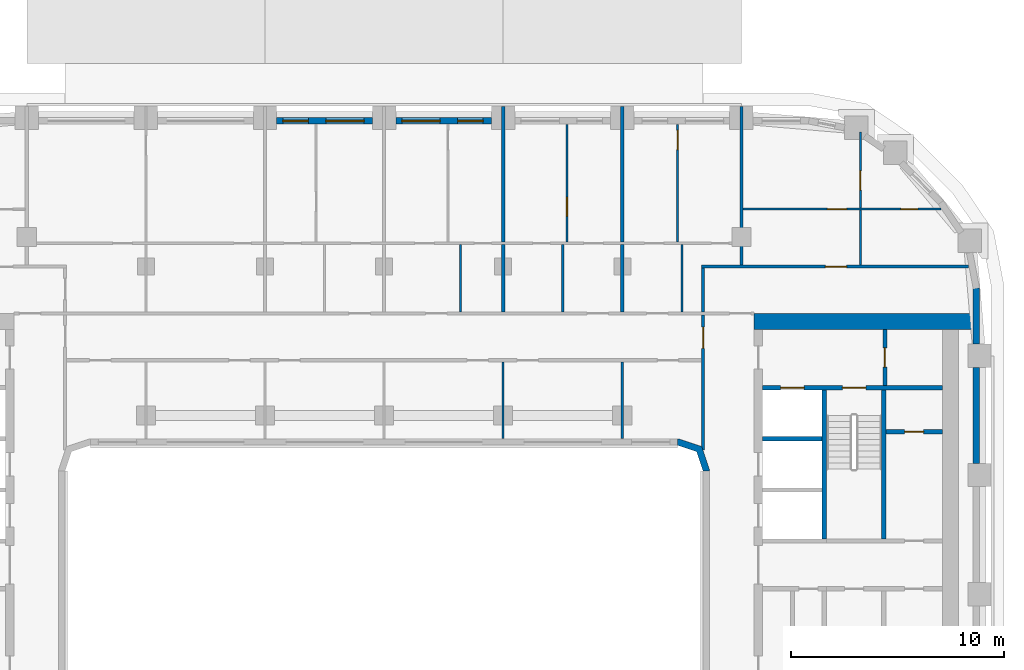
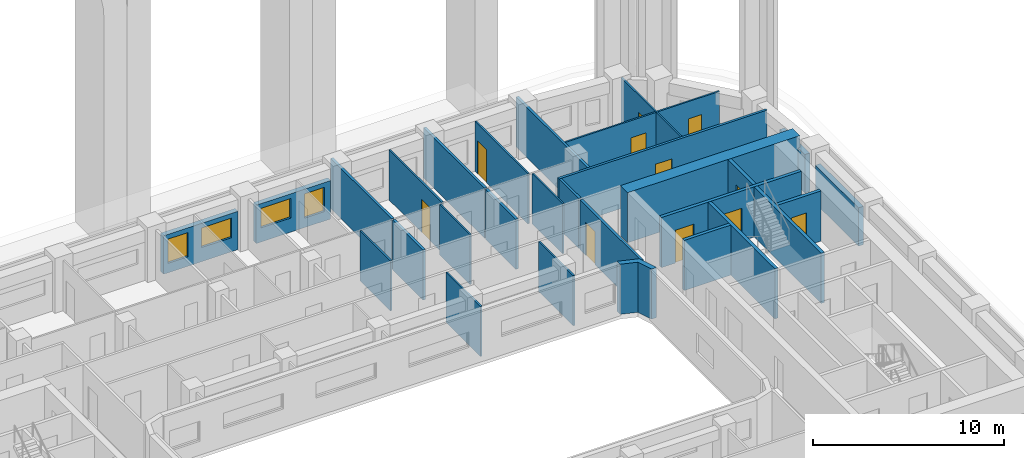
# One storey, part 9 of 18: 30 walls, 11 doors, 4 windows, 15 openings.
"""IFC4 building model written with IfcOpenShell, lengths in metres."""

from ifc_helpers import new_model, si_unit, direction, frame, frame_2d, origin, place, context, subcontext, project, spatial, polyline, rectangle, outline, extrude, material, layer, layer_set, type_object, element, fill, save


model = new_model("IFC4")

# Units and contexts
model_context = context("Model", 3, precision=1e-05, world=origin(), true_north=direction((0.0, 1.0)))
body_context = subcontext(model_context, "Body", "Model", "MODEL_VIEW")
ifc_project = project(units=[si_unit("LENGTHUNIT", "METRE"), si_unit("AREAUNIT", "SQUARE_METRE"), si_unit("VOLUMEUNIT", "CUBIC_METRE"), si_unit("PLANEANGLEUNIT", "RADIAN"), si_unit("MASSUNIT", "GRAM", prefix="KILO")], contexts=[model_context])

# Site, building, storey
site_placement = place(None, origin())
site = spatial("IfcSite", under=ifc_project, at=site_placement, CompositionType="ELEMENT")
building_placement = place(site_placement, origin())
building = spatial("IfcBuilding", under=site, at=building_placement, Name="Kiln Ring Residences", CompositionType="ELEMENT")
storey_placement = place(building_placement, frame((0.0, 0.0, 136.10009765625)))
storey = spatial("IfcBuildingStorey", under=building, at=storey_placement, Name="L34", CompositionType="ELEMENT", Elevation=136.10009765625)

# Wall, opening, door
ifc_material_1 = material(Name="Gypsum board on steel studs", Category="steel")
ifc_layer_1 = layer(ifc_material_1, 0.199951171875)
ifc_layer_set_1 = layer_set([ifc_layer_1], Name="CORE-PARTITION-200")
wall_type_1 = type_object("IfcWallType", Name="CORE-PARTITION-200", PredefinedType="PARTITIONING", material=ifc_layer_set_1)
wall_1_placement = place(storey_placement, frame((23.550048828125, 9.800048828125, 0.0), z_axis=(0.0, 0.0, 1.0), x_axis=(0.0, 1.0, 0.0)))
wall_1 = element("IfcWall", 1, at=wall_1_placement, inside=storey, type_object=wall_type_1, Name="Core partition east L34 4", PredefinedType="PARTITIONING", context=body_context, shape_type="SweptSolid", body=[
    extrude(rectangle(XDim=2.64990234375, YDim=0.199951171875, at=frame_2d((1.324951171875, 0.0))), origin(), (0.0, 0.0, 1.0), 3.199951171875),
])
opening_1_placement = place(wall_1_placement, frame((0.875, 0.0, 0.0)))
opening_1 = element("IfcOpeningElement", 2, at=opening_1_placement, cuts=wall_1, Name="Opening L34-CE09", PredefinedType="OPENING", context=body_context, shape_type="SweptSolid", body=[
    extrude(rectangle(XDim=0.89990234375, YDim=2.10009765625, at=frame_2d((0.449951171875, 1.050048828125))), frame((0.0, 0.10986328125, 0.0), z_axis=(0.0, -1.0, 0.0), x_axis=(1.0, 0.0, 0.0)), (0.0, 0.0, 1.0), 0.219970703125),
])
ifc_material_2 = material(Name="Steel door leaf", Category="steel")
door_type_1 = type_object("IfcDoorType", Name="CORE-DOOR-ROOM", OperationType="SINGLE_SWING_LEFT", PredefinedType="DOOR", material=ifc_material_2)
door_1_placement = place(opening_1_placement, origin())
door_1 = element("IfcDoor", 3, at=door_1_placement, inside=storey, type_object=door_type_1, Name="Fire riser room L34-CE09", OperationType="SINGLE_SWING_RIGHT", OverallHeight=2.10009765625, OverallWidth=0.89990234375, PredefinedType="DOOR", context=body_context, shape_type="SweptSolid", body=[
    extrude(rectangle(XDim=0.89990234375, YDim=2.10009765625, at=frame_2d((0.449951171875, 1.050048828125))), frame((0.0, 0.02490234375, 0.0), z_axis=(0.0, -1.0, 0.0), x_axis=(1.0, 0.0, 0.0)), (0.0, 0.0, 1.0), 0.050048828125),
])
fill(opening_1, door_1)

wall_2_placement = place(storey_placement, frame((23.60009765625, 7.639892578125, 0.0), z_axis=(0.0, 0.0, 1.0), x_axis=(1.0, 0.0, 0.0)))
wall_2 = element("IfcWall", 4, at=wall_2_placement, inside=storey, type_object=wall_type_1, Name="Core partition east L34 6", PredefinedType="PARTITIONING", context=body_context, shape_type="SweptSolid", body=[
    extrude(rectangle(XDim=2.64990234375, YDim=0.199951171875, at=frame_2d((1.324951171875, 0.0))), origin(), (0.0, 0.0, 1.0), 3.199951171875),
])
opening_2_placement = place(wall_2_placement, frame((0.875, 0.0, 0.0)))
opening_2 = element("IfcOpeningElement", 5, at=opening_2_placement, cuts=wall_2, Name="Opening L34-CE16", PredefinedType="OPENING", context=body_context, shape_type="SweptSolid", body=[
    extrude(rectangle(XDim=0.89990234375, YDim=2.10009765625, at=frame_2d((0.449951171875, 1.050048828125))), frame((0.0, 0.10986328125, 0.0), z_axis=(0.0, -1.0, 0.0), x_axis=(1.0, 0.0, 0.0)), (0.0, 0.0, 1.0), 0.219970703125),
])
door_2_placement = place(opening_2_placement, origin())
door_2 = element("IfcDoor", 6, at=door_2_placement, inside=storey, type_object=door_type_1, Name="UPS room L34-CE16", OperationType="SINGLE_SWING_RIGHT", OverallHeight=2.10009765625, OverallWidth=0.89990234375, PredefinedType="DOOR", context=body_context, shape_type="SweptSolid", body=[
    extrude(rectangle(XDim=0.89990234375, YDim=2.10009765625, at=frame_2d((0.449951171875, 1.050048828125))), frame((0.0, 0.02490234375, 0.0), z_axis=(0.0, -1.0, 0.0), x_axis=(1.0, 0.0, 0.0)), (0.0, 0.0, 1.0), 0.050048828125),
])
fill(opening_2, door_2)

# Walls
ifc_material_3 = material(Name="Gypsum shaft wall system")
ifc_layer_2 = layer(ifc_material_3, 0.199951171875)
ifc_layer_set_2 = layer_set([ifc_layer_2], Name="CORE-SHAFT-WALL-200")
wall_type_2 = type_object("IfcWallType", Name="CORE-SHAFT-WALL-200", PredefinedType="PARTITIONING", material=ifc_layer_set_2)
wall_3_placement = place(storey_placement, frame((17.800048828125, 7.300048828125, 0.0), z_axis=(0.0, 0.0, 1.0), x_axis=(1.0, 0.0, 0.0)))
element("IfcWall", 7, at=wall_3_placement, inside=storey, type_object=wall_type_2, Name="Core partition east L34 11", PredefinedType="PARTITIONING", context=body_context, shape_type="SweptSolid", body=[
    extrude(rectangle(XDim=2.800048828125, YDim=0.199951171875, at=frame_2d((1.39990234375, 0.0))), origin(), (0.0, 0.0, 1.0), 3.199951171875),
])
ifc_material_4 = material(Name="Concrete C40/50", Category="concrete")
ifc_layer_3 = layer(ifc_material_4, 0.199951171875)
ifc_layer_set_3 = layer_set([ifc_layer_3], Name="CORE-WALL-RC200")
wall_type_3 = type_object("IfcWallType", Name="CORE-WALL-RC200", PredefinedType="SHEAR", material=ifc_layer_set_3)
wall_4_placement = place(storey_placement, frame((20.699951171875, 2.60009765625, 0.0), z_axis=(0.0, 0.0, 1.0), x_axis=(0.0, 1.0, 0.0)))
element("IfcWall", 8, at=wall_4_placement, inside=storey, type_object=wall_type_3, Name="Core wall east L34 1", PredefinedType="SHEAR", context=body_context, shape_type="SweptSolid", body=[
    extrude(rectangle(XDim=7.0, YDim=0.199951171875, at=frame_2d((3.5, 0.0))), origin(), (0.0, 0.0, 1.0), 3.199951171875),
])

# Wall, openings, doors
wall_5_placement = place(storey_placement, frame((17.800048828125, 9.699951171875, 0.0), z_axis=(0.0, 0.0, 1.0), x_axis=(1.0, 0.0, 0.0)))
wall_5 = element("IfcWall", 9, at=wall_5_placement, inside=storey, type_object=wall_type_3, Name="Core wall east L34 9", PredefinedType="SHEAR", context=body_context, shape_type="SweptSolid", body=[
    extrude(rectangle(XDim=8.449951171875, YDim=0.199951171875, at=frame_2d((4.22509765625, 0.0))), origin(), (0.0, 0.0, 1.0), 3.199951171875),
])
opening_3_placement = place(wall_5_placement, frame((0.85009765625, 0.0, 0.0)))
opening_3 = element("IfcOpeningElement", 10, at=opening_3_placement, cuts=wall_5, Name="Opening L34-CE06", PredefinedType="OPENING", context=body_context, shape_type="SweptSolid", body=[
    extrude(rectangle(XDim=1.10009765625, YDim=2.10009765625, at=frame_2d((0.550048828125, 1.050048828125))), frame((0.0, 0.10986328125, 0.0), z_axis=(0.0, -1.0, 0.0), x_axis=(1.0, 0.0, 0.0)), (0.0, 0.0, 1.0), 0.219970703125),
])
opening_4_placement = place(wall_5_placement, frame((3.75, 0.0, 0.0)))
opening_4 = element("IfcOpeningElement", 11, at=opening_4_placement, cuts=wall_5, Name="Opening L34-CE11", PredefinedType="OPENING", context=body_context, shape_type="SweptSolid", body=[
    extrude(rectangle(XDim=1.10009765625, YDim=2.10009765625, at=frame_2d((0.550048828125, 1.050048828125))), frame((0.0, 0.10986328125, 0.0), z_axis=(0.0, -1.0, 0.0), x_axis=(1.0, 0.0, 0.0)), (0.0, 0.0, 1.0), 0.219970703125),
])
ifc_material_5 = material(Name="Steel door leaf", Category="steel")
door_type_2 = type_object("IfcDoorType", Name="CORE-DOOR-LD", OperationType="DOUBLE_DOOR_SLIDING", PredefinedType="DOOR", material=ifc_material_5)
door_3_placement = place(opening_3_placement, origin())
door_3 = element("IfcDoor", 12, at=door_3_placement, inside=storey, type_object=door_type_2, Name="LD E-FF L34-CE06", OperationType="DOUBLE_DOOR_SLIDING", OverallHeight=2.10009765625, OverallWidth=1.10009765625, PredefinedType="DOOR", context=body_context, shape_type="SweptSolid", body=[
    extrude(rectangle(XDim=1.10009765625, YDim=2.10009765625, at=frame_2d((0.550048828125, 1.050048828125))), frame((0.0, 0.02490234375, 0.0), z_axis=(0.0, -1.0, 0.0), x_axis=(1.0, 0.0, 0.0)), (0.0, 0.0, 1.0), 0.050048828125),
])
fill(opening_3, door_3)
ifc_material_6 = material(Name="Steel door leaf", Category="steel")
door_type_3 = type_object("IfcDoorType", Name="CORE-DOOR-STAIR", OperationType="SINGLE_SWING_LEFT", PredefinedType="DOOR", material=ifc_material_6)
door_4_placement = place(opening_4_placement, origin())
door_4 = element("IfcDoor", 13, at=door_4_placement, inside=storey, type_object=door_type_3, Name="Stair E-STN L34-CE11", OperationType="SINGLE_SWING_RIGHT", OverallHeight=2.10009765625, OverallWidth=1.10009765625, PredefinedType="DOOR", context=body_context, shape_type="SweptSolid", body=[
    extrude(rectangle(XDim=1.10009765625, YDim=2.10009765625, at=frame_2d((0.550048828125, 1.050048828125))), frame((0.0, 0.02490234375, 0.0), z_axis=(0.0, -1.0, 0.0), x_axis=(1.0, 0.0, 0.0)), (0.0, 0.0, 1.0), 0.050048828125),
])
fill(opening_4, door_4)

# Walls
wall_6_placement = place(storey_placement, frame((23.5, 2.60009765625, 0.0), z_axis=(0.0, 0.0, 1.0), x_axis=(0.0, 1.0, 0.0)))
element("IfcWall", 14, at=wall_6_placement, inside=storey, type_object=wall_type_3, Name="Core wall east L34 10", PredefinedType="SHEAR", context=body_context, shape_type="SweptSolid", body=[
    extrude(rectangle(XDim=7.0, YDim=0.199951171875, at=frame_2d((3.5, 0.0))), origin(), (0.0, 0.0, 1.0), 3.199951171875),
])
ifc_material_7 = material(Name="Concrete C60/75", Category="concrete")
ifc_layer_4 = layer(ifc_material_7, 0.75)
ifc_layer_set_4 = layer_set([ifc_layer_4], Name="CORE-WALL-RC750")
wall_type_4 = type_object("IfcWallType", Name="CORE-WALL-RC750", PredefinedType="SHEAR", material=ifc_layer_set_4)
wall_7_placement = place(storey_placement, frame((17.39990234375, 12.824951171875, 0.0), z_axis=(0.0, 0.0, 1.0), x_axis=(1.0, 0.0, 0.0)))
element("IfcWall", 15, at=wall_7_placement, inside=storey, type_object=wall_type_4, Name="Core wall east L34 4", PredefinedType="SHEAR", context=body_context, shape_type="SweptSolid", body=[
    extrude(rectangle(XDim=10.400146484375, YDim=0.75, at=frame_2d((5.2001953125, 0.0))), origin(), (0.0, 0.0, 1.0), 3.199951171875),
])
ifc_material_8 = material(Name="Brick masonry, dark clay brick", Category="masonry")
ifc_layer_5 = layer(ifc_material_8, 0.300048828125)
ifc_layer_set_5 = layer_set([ifc_layer_5], Name="EW-300 BRICK WALL")
wall_type_5 = type_object("IfcWallType", Name="EW-300 BRICK WALL", PredefinedType="SOLIDWALL", material=ifc_layer_set_5)
wall_8_placement = place(storey_placement, frame((27.85009765625, 6.14990234375, 0.0), z_axis=(0.0, 0.0, 1.0), x_axis=(0.0, 1.0, 0.0)))
element("IfcWall", 16, at=wall_8_placement, inside=storey, type_object=wall_type_5, Name="Facade wall L34 21", PredefinedType="SOLIDWALL", context=body_context, shape_type="SweptSolid", body=[
    extrude(rectangle(XDim=4.5, YDim=0.300048828125, at=frame_2d((2.25, 0.0))), origin(), (0.0, 0.0, 1.0), 2.449951171875),
])
wall_9_placement = place(storey_placement, frame((27.85009765625, 11.75, 0.0), z_axis=(0.0, 0.0, 1.0), x_axis=(0.0, 1.0, 0.0)))
element("IfcWall", 17, at=wall_9_placement, inside=storey, type_object=wall_type_5, Name="Facade wall L34 22", PredefinedType="SOLIDWALL", context=body_context, shape_type="SweptSolid", body=[
    extrude(rectangle(XDim=2.64990234375, YDim=0.300048828125, at=frame_2d((1.324951171875, 0.0))), origin(), (0.0, 0.0, 1.0), 2.449951171875),
])

# Wall, openings, windows
wall_10_placement = place(storey_placement, frame((5.050048828125, 22.25, 0.0), z_axis=(0.0, 0.0, 1.0), x_axis=(-1.0, 0.0, 0.0)))
wall_10 = element("IfcWall", 18, at=wall_10_placement, inside=storey, type_object=wall_type_5, Name="Facade wall L34 31", PredefinedType="SOLIDWALL", context=body_context, shape_type="SweptSolid", body=[
    extrude(rectangle(XDim=4.5, YDim=0.300048828125, at=frame_2d((2.25, 0.0))), origin(), (0.0, 0.0, 1.0), 2.449951171875),
])
opening_5_placement = place(wall_10_placement, frame((0.387451171875, 0.0, 0.60009765625)))
opening_5 = element("IfcOpeningElement", 19, at=opening_5_placement, cuts=wall_10, Name="Opening W1", PredefinedType="OPENING", context=body_context, shape_type="SweptSolid", body=[
    extrude(rectangle(XDim=1.199951171875, YDim=1.550048828125, at=frame_2d((0.60009765625, 0.77490234375))), frame((0.0, 0.159912109375, 0.0), z_axis=(0.0, -1.0, 0.0), x_axis=(1.0, 0.0, 0.0)), (0.0, 0.0, 1.0), 0.320068359375),
])
opening_6_placement = place(wall_10_placement, frame((2.41259765625, 0.0, 0.89990234375)))
opening_6 = element("IfcOpeningElement", 20, at=opening_6_placement, cuts=wall_10, Name="Opening W2", PredefinedType="OPENING", context=body_context, shape_type="SweptSolid", body=[
    extrude(rectangle(XDim=1.800048828125, YDim=1.25, at=frame_2d((0.89990234375, 0.625))), frame((0.0, 0.159912109375, 0.0), z_axis=(0.0, -1.0, 0.0), x_axis=(1.0, 0.0, 0.0)), (0.0, 0.0, 1.0), 0.320068359375),
])
ifc_material_9 = material(Name="Aluminium frame with double glazing", Category="aluminium")
window_type_1 = type_object("IfcWindowType", Name="WINDOW 1200 x 1550", PartitioningType="SINGLE_PANEL", PredefinedType="WINDOW", material=ifc_material_9)
window_1_placement = place(opening_5_placement, origin())
window_1 = element("IfcWindow", 21, at=window_1_placement, inside=storey, type_object=window_type_1, Name="Window L34 23", OverallHeight=1.550048828125, OverallWidth=1.199951171875, PartitioningType="SINGLE_PANEL", PredefinedType="WINDOW", context=body_context, shape_type="SweptSolid", body=[
    extrude(rectangle(XDim=1.199951171875, YDim=1.550048828125, at=frame_2d((0.60009765625, 0.77490234375))), frame((0.0, 0.030029296875, 0.0), z_axis=(0.0, -1.0, 0.0), x_axis=(1.0, 0.0, 0.0)), (0.0, 0.0, 1.0), 0.06005859375),
])
fill(opening_5, window_1)
ifc_material_10 = material(Name="Aluminium frame with double glazing", Category="aluminium")
window_type_2 = type_object("IfcWindowType", Name="WINDOW 1800 x 1250", PartitioningType="SINGLE_PANEL", PredefinedType="WINDOW", material=ifc_material_10)
window_2_placement = place(opening_6_placement, origin())
window_2 = element("IfcWindow", 22, at=window_2_placement, inside=storey, type_object=window_type_2, Name="Window L34 24", OverallHeight=1.25, OverallWidth=1.800048828125, PartitioningType="SINGLE_PANEL", PredefinedType="WINDOW", context=body_context, shape_type="SweptSolid", body=[
    extrude(rectangle(XDim=1.800048828125, YDim=1.25, at=frame_2d((0.89990234375, 0.625))), frame((0.0, 0.030029296875, 0.0), z_axis=(0.0, -1.0, 0.0), x_axis=(1.0, 0.0, 0.0)), (0.0, 0.0, 1.0), 0.06005859375),
])
fill(opening_6, window_2)

wall_11_placement = place(storey_placement, frame((-0.550048828125, 22.25, 0.0), z_axis=(0.0, 0.0, 1.0), x_axis=(-1.0, 0.0, 0.0)))
wall_11 = element("IfcWall", 23, at=wall_11_placement, inside=storey, type_object=wall_type_5, Name="Facade wall L34 32", PredefinedType="SOLIDWALL", context=body_context, shape_type="SweptSolid", body=[
    extrude(rectangle(XDim=4.5, YDim=0.300048828125, at=frame_2d((2.25, 0.0))), origin(), (0.0, 0.0, 1.0), 2.449951171875),
])
opening_7_placement = place(wall_11_placement, frame((0.387451171875, 0.0, 0.89990234375)))
opening_7 = element("IfcOpeningElement", 24, at=opening_7_placement, cuts=wall_11, Name="Opening W2", PredefinedType="OPENING", context=body_context, shape_type="SweptSolid", body=[
    extrude(rectangle(XDim=1.800048828125, YDim=1.25, at=frame_2d((0.89990234375, 0.625))), frame((0.0, 0.159912109375, 0.0), z_axis=(0.0, -1.0, 0.0), x_axis=(1.0, 0.0, 0.0)), (0.0, 0.0, 1.0), 0.320068359375),
])
opening_8_placement = place(wall_11_placement, frame((3.012451171875, 0.0, 0.60009765625)))
opening_8 = element("IfcOpeningElement", 25, at=opening_8_placement, cuts=wall_11, Name="Opening W1", PredefinedType="OPENING", context=body_context, shape_type="SweptSolid", body=[
    extrude(rectangle(XDim=1.199951171875, YDim=1.550048828125, at=frame_2d((0.60009765625, 0.77490234375))), frame((0.0, 0.159912109375, 0.0), z_axis=(0.0, -1.0, 0.0), x_axis=(1.0, 0.0, 0.0)), (0.0, 0.0, 1.0), 0.320068359375),
])
window_3_placement = place(opening_8_placement, origin())
window_3 = element("IfcWindow", 26, at=window_3_placement, inside=storey, type_object=window_type_1, Name="Window L34 26", OverallHeight=1.550048828125, OverallWidth=1.199951171875, PartitioningType="SINGLE_PANEL", PredefinedType="WINDOW", context=body_context, shape_type="SweptSolid", body=[
    extrude(rectangle(XDim=1.199951171875, YDim=1.550048828125, at=frame_2d((0.60009765625, 0.77490234375))), frame((0.0, 0.030029296875, 0.0), z_axis=(0.0, -1.0, 0.0), x_axis=(1.0, 0.0, 0.0)), (0.0, 0.0, 1.0), 0.06005859375),
])
fill(opening_8, window_3)
window_4_placement = place(opening_7_placement, origin())
window_4 = element("IfcWindow", 27, at=window_4_placement, inside=storey, type_object=window_type_2, Name="Window L34 25", OverallHeight=1.25, OverallWidth=1.800048828125, PartitioningType="SINGLE_PANEL", PredefinedType="WINDOW", context=body_context, shape_type="SweptSolid", body=[
    extrude(rectangle(XDim=1.800048828125, YDim=1.25, at=frame_2d((0.89990234375, 0.625))), frame((0.0, 0.030029296875, 0.0), z_axis=(0.0, -1.0, 0.0), x_axis=(1.0, 0.0, 0.0)), (0.0, 0.0, 1.0), 0.06005859375),
])
fill(opening_7, window_4)

# Wall
wall_12_placement = place(storey_placement, origin())
element("IfcWall", 28, at=wall_12_placement, inside=storey, type_object=wall_type_5, Name="Corner wall L34 2", PredefinedType="SOLIDWALL", context=body_context, shape_type="SweptSolid", body=[
    extrude(outline(polyline([(14.937255859375, 6.937255859375), (13.8486328125, 7.300048828125), (13.800048828125, 7.300048828125), (13.800048828125, 7.0), (14.699951171875, 6.699951171875), (15.0, 5.800048828125), (15.300048828125, 5.800048828125), (15.300048828125, 5.8486328125), (14.937255859375, 6.937255859375)])), origin(), (0.0, 0.0, 1.0), 3.199951171875),
])

# Wall, openings, doors
ifc_material_11 = material(Name="Gypsum board on steel studs", Category="steel")
ifc_layer_6 = layer(ifc_material_11, 0.10009765625)
ifc_layer_set_6 = layer_set([ifc_layer_6], Name="PARTITION-100")
wall_type_6 = type_object("IfcWallType", Name="PARTITION-100", PredefinedType="PARTITIONING", material=ifc_layer_set_6)
wall_13_placement = place(storey_placement, frame((16.875, 18.10009765625, 0.0), z_axis=(0.0, 0.0, 1.0), x_axis=(1.0, 0.0, 0.0)))
wall_13 = element("IfcWall", 29, at=wall_13_placement, inside=storey, type_object=wall_type_6, Name="Partition 013", PredefinedType="PARTITIONING", context=body_context, shape_type="SweptSolid", body=[
    extrude(rectangle(XDim=9.315185546875, YDim=0.10009765625, at=frame_2d((4.65771484375, 0.0))), origin(), (0.0, 0.0, 1.0), 3.199951171875),
])
opening_9_placement = place(wall_13_placement, frame((7.425048828125, 0.0, 0.0)))
opening_9 = element("IfcOpeningElement", 30, at=opening_9_placement, cuts=wall_13, Name="Opening L34-D036", PredefinedType="OPENING", context=body_context, shape_type="SweptSolid", body=[
    extrude(rectangle(XDim=0.800048828125, YDim=2.10009765625, at=frame_2d((0.39990234375, 1.050048828125))), frame((0.0, 0.06005859375, 0.0), z_axis=(0.0, -1.0, 0.0), x_axis=(1.0, 0.0, 0.0)), (0.0, 0.0, 1.0), 0.1201171875),
])
opening_10_placement = place(wall_13_placement, frame((3.97509765625, 0.0, 0.0)))
opening_10 = element("IfcOpeningElement", 31, at=opening_10_placement, cuts=wall_13, Name="Opening L34-D037", PredefinedType="OPENING", context=body_context, shape_type="SweptSolid", body=[
    extrude(rectangle(XDim=0.89990234375, YDim=2.10009765625, at=frame_2d((0.449951171875, 1.050048828125))), frame((0.0, 0.06005859375, 0.0), z_axis=(0.0, -1.0, 0.0), x_axis=(1.0, 0.0, 0.0)), (0.0, 0.0, 1.0), 0.1201171875),
])
ifc_material_12 = material(Name="Timber door leaf", Category="wood")
door_type_4 = type_object("IfcDoorType", Name="FLAT-DOOR-800-PL", OperationType="SINGLE_SWING_LEFT", PredefinedType="DOOR", material=ifc_material_12)
door_5_placement = place(opening_9_placement, origin())
door_5 = element("IfcDoor", 32, at=door_5_placement, inside=storey, type_object=door_type_4, Name="Door L34-D036", OperationType="SINGLE_SWING_RIGHT", OverallHeight=2.10009765625, OverallWidth=0.800048828125, PredefinedType="DOOR", context=body_context, shape_type="SweptSolid", body=[
    extrude(rectangle(XDim=0.800048828125, YDim=2.10009765625, at=frame_2d((0.39990234375, 1.050048828125))), frame((0.0, 0.02490234375, 0.0), z_axis=(0.0, -1.0, 0.0), x_axis=(1.0, 0.0, 0.0)), (0.0, 0.0, 1.0), 0.050048828125),
])
fill(opening_9, door_5)
ifc_material_13 = material(Name="Timber door leaf", Category="wood")
door_type_5 = type_object("IfcDoorType", Name="FLAT-DOOR-900-PL", OperationType="SINGLE_SWING_LEFT", PredefinedType="DOOR", material=ifc_material_13)
door_6_placement = place(opening_10_placement, origin())
door_6 = element("IfcDoor", 33, at=door_6_placement, inside=storey, type_object=door_type_5, Name="Door L34-D037", OperationType="SINGLE_SWING_LEFT", OverallHeight=2.10009765625, OverallWidth=0.89990234375, PredefinedType="DOOR", context=body_context, shape_type="SweptSolid", body=[
    extrude(rectangle(XDim=0.89990234375, YDim=2.10009765625, at=frame_2d((0.449951171875, 1.050048828125))), frame((0.0, 0.02490234375, 0.0), z_axis=(0.0, -1.0, 0.0), x_axis=(1.0, 0.0, 0.0)), (0.0, 0.0, 1.0), 0.050048828125),
])
fill(opening_10, door_6)

# Walls
wall_14_placement = place(storey_placement, frame((3.60009765625, 13.27490234375, 0.0), z_axis=(0.0, 0.0, 1.0), x_axis=(0.0, 1.0, 0.0)))
element("IfcWall", 34, at=wall_14_placement, inside=storey, type_object=wall_type_6, Name="Partition 048", PredefinedType="PARTITIONING", context=body_context, shape_type="SweptSolid", body=[
    extrude(rectangle(XDim=3.175048828125, YDim=0.10009765625, at=frame_2d((1.58740234375, 0.0))), origin(), (0.0, 0.0, 1.0), 3.199951171875),
])
wall_15_placement = place(storey_placement, frame((5.60009765625, 7.320068359375, 0.0), z_axis=(0.0, 0.0, 1.0), x_axis=(0.0, 1.0, 0.0)))
element("IfcWall", 35, at=wall_15_placement, inside=storey, type_object=wall_type_6, Name="Partition 050", PredefinedType="PARTITIONING", context=body_context, shape_type="SweptSolid", body=[
    extrude(rectangle(XDim=3.60498046875, YDim=0.10009765625, at=frame_2d((1.802490234375, 0.0))), origin(), (0.0, 0.0, 1.0), 3.199951171875),
])
wall_16_placement = place(storey_placement, frame((8.39990234375, 13.27490234375, 0.0), z_axis=(0.0, 0.0, 1.0), x_axis=(0.0, 1.0, 0.0)))
element("IfcWall", 36, at=wall_16_placement, inside=storey, type_object=wall_type_6, Name="Partition 055", PredefinedType="PARTITIONING", context=body_context, shape_type="SweptSolid", body=[
    extrude(rectangle(XDim=3.175048828125, YDim=0.10009765625, at=frame_2d((1.58740234375, 0.0))), origin(), (0.0, 0.0, 1.0), 3.199951171875),
])

# Wall, opening, door
wall_17_placement = place(storey_placement, frame((8.60009765625, 16.550048828125, 0.0), z_axis=(0.0, 0.0, 1.0), x_axis=(0.0, 1.0, 0.0)))
wall_17 = element("IfcWall", 37, at=wall_17_placement, inside=storey, type_object=wall_type_6, Name="Partition 057", PredefinedType="PARTITIONING", context=body_context, shape_type="SweptSolid", body=[
    extrude(rectangle(XDim=5.530029296875, YDim=0.10009765625, at=frame_2d((2.76513671875, 0.0))), origin(), (0.0, 0.0, 1.0), 3.199951171875),
])
opening_11_placement = place(wall_17_placement, frame((1.2099609375, 0.0, 0.0)))
opening_11 = element("IfcOpeningElement", 38, at=opening_11_placement, cuts=wall_17, Name="Opening L34-D030", PredefinedType="OPENING", context=body_context, shape_type="SweptSolid", body=[
    extrude(rectangle(XDim=0.89990234375, YDim=2.10009765625, at=frame_2d((0.449951171875, 1.050048828125))), frame((0.0, 0.06005859375, 0.0), z_axis=(0.0, -1.0, 0.0), x_axis=(1.0, 0.0, 0.0)), (0.0, 0.0, 1.0), 0.1201171875),
])
door_7_placement = place(opening_11_placement, origin())
door_7 = element("IfcDoor", 39, at=door_7_placement, inside=storey, type_object=door_type_5, Name="Door L34-D030", OperationType="SINGLE_SWING_RIGHT", OverallHeight=2.10009765625, OverallWidth=0.89990234375, PredefinedType="DOOR", context=body_context, shape_type="SweptSolid", body=[
    extrude(rectangle(XDim=0.89990234375, YDim=2.10009765625, at=frame_2d((0.449951171875, 1.050048828125))), frame((0.0, 0.02490234375, 0.0), z_axis=(0.0, -1.0, 0.0), x_axis=(1.0, 0.0, 0.0)), (0.0, 0.0, 1.0), 0.050048828125),
])
fill(opening_11, door_7)

# Wall
wall_18_placement = place(storey_placement, frame((11.199951171875, 7.320068359375, 0.0), z_axis=(0.0, 0.0, 1.0), x_axis=(0.0, 1.0, 0.0)))
element("IfcWall", 40, at=wall_18_placement, inside=storey, type_object=wall_type_6, Name="Partition 061", PredefinedType="PARTITIONING", context=body_context, shape_type="SweptSolid", body=[
    extrude(rectangle(XDim=3.60498046875, YDim=0.10009765625, at=frame_2d((1.802490234375, 0.0))), origin(), (0.0, 0.0, 1.0), 3.199951171875),
])

# Wall, opening, door
wall_19_placement = place(storey_placement, frame((13.800048828125, 16.550048828125, 0.0), z_axis=(0.0, 0.0, 1.0), x_axis=(0.0, 1.0, 0.0)))
wall_19 = element("IfcWall", 41, at=wall_19_placement, inside=storey, type_object=wall_type_6, Name="Partition 064", PredefinedType="PARTITIONING", context=body_context, shape_type="SweptSolid", body=[
    extrude(rectangle(XDim=5.530029296875, YDim=0.10009765625, at=frame_2d((2.76513671875, 0.0))), origin(), (0.0, 0.0, 1.0), 3.199951171875),
])
opening_12_placement = place(wall_19_placement, frame((4.35009765625, 0.0, 0.0)))
opening_12 = element("IfcOpeningElement", 42, at=opening_12_placement, cuts=wall_19, Name="Opening L34-D034", PredefinedType="OPENING", context=body_context, shape_type="SweptSolid", body=[
    extrude(rectangle(XDim=0.89990234375, YDim=2.10009765625, at=frame_2d((0.449951171875, 1.050048828125))), frame((0.0, 0.06005859375, 0.0), z_axis=(0.0, -1.0, 0.0), x_axis=(1.0, 0.0, 0.0)), (0.0, 0.0, 1.0), 0.1201171875),
])
door_8_placement = place(opening_12_placement, origin())
door_8 = element("IfcDoor", 43, at=door_8_placement, inside=storey, type_object=door_type_5, Name="Door L34-D034", OperationType="SINGLE_SWING_RIGHT", OverallHeight=2.10009765625, OverallWidth=0.89990234375, PredefinedType="DOOR", context=body_context, shape_type="SweptSolid", body=[
    extrude(rectangle(XDim=0.89990234375, YDim=2.10009765625, at=frame_2d((0.449951171875, 1.050048828125))), frame((0.0, 0.02490234375, 0.0), z_axis=(0.0, -1.0, 0.0), x_axis=(1.0, 0.0, 0.0)), (0.0, 0.0, 1.0), 0.050048828125),
])
fill(opening_12, door_8)

# Walls
wall_20_placement = place(storey_placement, frame((14.0, 13.27490234375, 0.0), z_axis=(0.0, 0.0, 1.0), x_axis=(0.0, 1.0, 0.0)))
element("IfcWall", 44, at=wall_20_placement, inside=storey, type_object=wall_type_6, Name="Partition 065", PredefinedType="PARTITIONING", context=body_context, shape_type="SweptSolid", body=[
    extrude(rectangle(XDim=3.175048828125, YDim=0.10009765625, at=frame_2d((1.58740234375, 0.0))), origin(), (0.0, 0.0, 1.0), 3.199951171875),
])
wall_21_placement = place(storey_placement, frame((22.39990234375, 15.47509765625, 0.0), z_axis=(0.0, 0.0, 1.0), x_axis=(0.0, 1.0, 0.0)))
element("IfcWall", 45, at=wall_21_placement, inside=storey, type_object=wall_type_6, Name="Partition 075", PredefinedType="PARTITIONING", context=body_context, shape_type="SweptSolid", body=[
    extrude(rectangle(XDim=2.574951171875, YDim=0.10009765625, at=frame_2d((1.28759765625, 0.0))), origin(), (0.0, 0.0, 1.0), 3.199951171875),
])

# Wall, opening, door
wall_22_placement = place(storey_placement, frame((22.39990234375, 18.14990234375, 0.0), z_axis=(0.0, 0.0, 1.0), x_axis=(0.0, 1.0, 0.0)))
wall_22 = element("IfcWall", 46, at=wall_22_placement, inside=storey, type_object=wall_type_6, Name="Partition 076", PredefinedType="PARTITIONING", context=body_context, shape_type="SweptSolid", body=[
    extrude(rectangle(XDim=3.570068359375, YDim=0.10009765625, at=frame_2d((1.78515625, 0.0))), origin(), (0.0, 0.0, 1.0), 3.199951171875),
])
opening_13_placement = place(wall_22_placement, frame((0.85009765625, 0.0, 0.0)))
opening_13 = element("IfcOpeningElement", 47, at=opening_13_placement, cuts=wall_22, Name="Opening L34-D038", PredefinedType="OPENING", context=body_context, shape_type="SweptSolid", body=[
    extrude(rectangle(XDim=0.89990234375, YDim=2.10009765625, at=frame_2d((0.449951171875, 1.050048828125))), frame((0.0, 0.06005859375, 0.0), z_axis=(0.0, -1.0, 0.0), x_axis=(1.0, 0.0, 0.0)), (0.0, 0.0, 1.0), 0.1201171875),
])
door_9_placement = place(opening_13_placement, origin())
door_9 = element("IfcDoor", 48, at=door_9_placement, inside=storey, type_object=door_type_5, Name="Door L34-D038", OperationType="SINGLE_SWING_LEFT", OverallHeight=2.10009765625, OverallWidth=0.89990234375, PredefinedType="DOOR", context=body_context, shape_type="SweptSolid", body=[
    extrude(rectangle(XDim=0.89990234375, YDim=2.10009765625, at=frame_2d((0.449951171875, 1.050048828125))), frame((0.0, 0.02490234375, 0.0), z_axis=(0.0, -1.0, 0.0), x_axis=(1.0, 0.0, 0.0)), (0.0, 0.0, 1.0), 0.050048828125),
])
fill(opening_13, door_9)

ifc_material_14 = material(Name="Brick masonry partition", Category="masonry")
ifc_layer_7 = layer(ifc_material_14, 0.14990234375)
ifc_layer_set_7 = layer_set([ifc_layer_7], Name="PARTITION-150-ei60")
wall_type_7 = type_object("IfcWallType", Name="PARTITION-150-ei60", PredefinedType="PARTITIONING", material=ifc_layer_set_7)
wall_23_placement = place(storey_placement, frame((14.925048828125, 15.39990234375, 0.0), z_axis=(0.0, 0.0, 1.0), x_axis=(1.0, 0.0, 0.0)))
wall_23 = element("IfcWall", 49, at=wall_23_placement, inside=storey, type_object=wall_type_7, Name="Partition 010", PredefinedType="PARTITIONING", context=body_context, shape_type="SweptSolid", body=[
    extrude(rectangle(XDim=12.558837890625, YDim=0.14990234375, at=frame_2d((6.279296875, 0.0))), origin(), (0.0, 0.0, 1.0), 3.199951171875),
])
opening_14_placement = place(wall_23_placement, frame((5.824951171875, 0.0, 0.0)))
opening_14 = element("IfcOpeningElement", 50, at=opening_14_placement, cuts=wall_23, Name="Opening L34-D035", PredefinedType="OPENING", context=body_context, shape_type="SweptSolid", body=[
    extrude(rectangle(XDim=1.0, YDim=2.10009765625, at=frame_2d((0.5, 1.050048828125))), frame((0.0, 0.0849609375, 0.0), z_axis=(0.0, -1.0, 0.0), x_axis=(1.0, 0.0, 0.0)), (0.0, 0.0, 1.0), 0.169921875),
])
ifc_material_15 = material(Name="Steel faced fire door leaf", Category="steel")
door_type_6 = type_object("IfcDoorType", Name="FLAT-DOOR-1000-FR", OperationType="SINGLE_SWING_LEFT", PredefinedType="DOOR", material=ifc_material_15)
door_10_placement = place(opening_14_placement, origin())
door_10 = element("IfcDoor", 51, at=door_10_placement, inside=storey, type_object=door_type_6, Name="Door L34-D035", OperationType="SINGLE_SWING_LEFT", OverallHeight=2.10009765625, OverallWidth=1.0, PredefinedType="DOOR", context=body_context, shape_type="SweptSolid", body=[
    extrude(rectangle(XDim=1.0, YDim=2.10009765625, at=frame_2d((0.5, 1.050048828125))), frame((0.0, 0.02490234375, 0.0), z_axis=(0.0, -1.0, 0.0), x_axis=(1.0, 0.0, 0.0)), (0.0, 0.0, 1.0), 0.050048828125),
])
fill(opening_14, door_10)

# Walls
wall_24_placement = place(storey_placement, frame((5.60009765625, 13.27490234375, 0.0), z_axis=(0.0, 0.0, 1.0), x_axis=(0.0, 1.0, 0.0)))
element("IfcWall", 52, at=wall_24_placement, inside=storey, type_object=wall_type_7, Name="Partition 053", PredefinedType="PARTITIONING", context=body_context, shape_type="SweptSolid", body=[
    extrude(rectangle(XDim=3.175048828125, YDim=0.14990234375, at=frame_2d((1.58740234375, 0.0))), origin(), (0.0, 0.0, 1.0), 3.199951171875),
])
wall_25_placement = place(storey_placement, frame((5.60009765625, 16.550048828125, 0.0), z_axis=(0.0, 0.0, 1.0), x_axis=(0.0, 1.0, 0.0)))
element("IfcWall", 53, at=wall_25_placement, inside=storey, type_object=wall_type_7, Name="Partition 054", PredefinedType="PARTITIONING", context=body_context, shape_type="SweptSolid", body=[
    extrude(rectangle(XDim=6.3798828125, YDim=0.14990234375, at=frame_2d((3.18994140625, 0.0))), origin(), (0.0, 0.0, 1.0), 3.199951171875),
])
wall_26_placement = place(storey_placement, frame((11.199951171875, 13.27490234375, 0.0), z_axis=(0.0, 0.0, 1.0), x_axis=(0.0, 1.0, 0.0)))
element("IfcWall", 54, at=wall_26_placement, inside=storey, type_object=wall_type_7, Name="Partition 062", PredefinedType="PARTITIONING", context=body_context, shape_type="SweptSolid", body=[
    extrude(rectangle(XDim=3.175048828125, YDim=0.14990234375, at=frame_2d((1.58740234375, 0.0))), origin(), (0.0, 0.0, 1.0), 3.199951171875),
])
wall_27_placement = place(storey_placement, frame((11.199951171875, 16.550048828125, 0.0), z_axis=(0.0, 0.0, 1.0), x_axis=(0.0, 1.0, 0.0)))
element("IfcWall", 55, at=wall_27_placement, inside=storey, type_object=wall_type_7, Name="Partition 063", PredefinedType="PARTITIONING", context=body_context, shape_type="SweptSolid", body=[
    extrude(rectangle(XDim=6.3798828125, YDim=0.14990234375, at=frame_2d((3.18994140625, 0.0))), origin(), (0.0, 0.0, 1.0), 3.199951171875),
])

# Wall, opening, door
wall_28_placement = place(storey_placement, frame((15.0, 6.768798828125, 0.0), z_axis=(0.0, 0.0, 1.0), x_axis=(0.0, 1.0, 0.0)))
wall_28 = element("IfcWall", 56, at=wall_28_placement, inside=storey, type_object=wall_type_7, Name="Partition 069", PredefinedType="PARTITIONING", context=body_context, shape_type="SweptSolid", body=[
    extrude(rectangle(XDim=6.356201171875, YDim=0.14990234375, at=frame_2d((3.17822265625, 0.0))), origin(), (0.0, 0.0, 1.0), 3.199951171875),
])
opening_15_placement = place(wall_28_placement, frame((4.78125, 0.0, 0.0)))
opening_15 = element("IfcOpeningElement", 57, at=opening_15_placement, cuts=wall_28, Name="Opening L34-D002", PredefinedType="OPENING", context=body_context, shape_type="SweptSolid", body=[
    extrude(rectangle(XDim=1.0, YDim=2.10009765625, at=frame_2d((0.5, 1.050048828125))), frame((0.0, 0.0849609375, 0.0), z_axis=(0.0, -1.0, 0.0), x_axis=(1.0, 0.0, 0.0)), (0.0, 0.0, 1.0), 0.169921875),
])
door_11_placement = place(opening_15_placement, origin())
door_11 = element("IfcDoor", 58, at=door_11_placement, inside=storey, type_object=door_type_6, Name="Door L34-D002", OperationType="SINGLE_SWING_LEFT", OverallHeight=2.10009765625, OverallWidth=1.0, PredefinedType="DOOR", context=body_context, shape_type="SweptSolid", body=[
    extrude(rectangle(XDim=1.0, YDim=2.10009765625, at=frame_2d((0.5, 1.050048828125))), frame((0.0, 0.02490234375, 0.0), z_axis=(0.0, -1.0, 0.0), x_axis=(1.0, 0.0, 0.0)), (0.0, 0.0, 1.0), 0.050048828125),
])
fill(opening_15, door_11)

# Walls
wall_29_placement = place(storey_placement, frame((15.0, 13.27490234375, 0.0), z_axis=(0.0, 0.0, 1.0), x_axis=(0.0, 1.0, 0.0)))
element("IfcWall", 59, at=wall_29_placement, inside=storey, type_object=wall_type_7, Name="Partition 070", PredefinedType="PARTITIONING", context=body_context, shape_type="SweptSolid", body=[
    extrude(rectangle(XDim=2.050048828125, YDim=0.14990234375, at=frame_2d((1.02490234375, 0.0))), origin(), (0.0, 0.0, 1.0), 3.199951171875),
])
wall_30_placement = place(storey_placement, frame((16.800048828125, 15.47509765625, 0.0), z_axis=(0.0, 0.0, 1.0), x_axis=(0.0, 1.0, 0.0)))
element("IfcWall", 60, at=wall_30_placement, inside=storey, type_object=wall_type_7, Name="Partition 072", PredefinedType="PARTITIONING", context=body_context, shape_type="SweptSolid", body=[
    extrude(rectangle(XDim=7.454833984375, YDim=0.14990234375, at=frame_2d((3.7275390625, 0.0))), origin(), (0.0, 0.0, 1.0), 3.199951171875),
])

save(model, "model.ifc")
